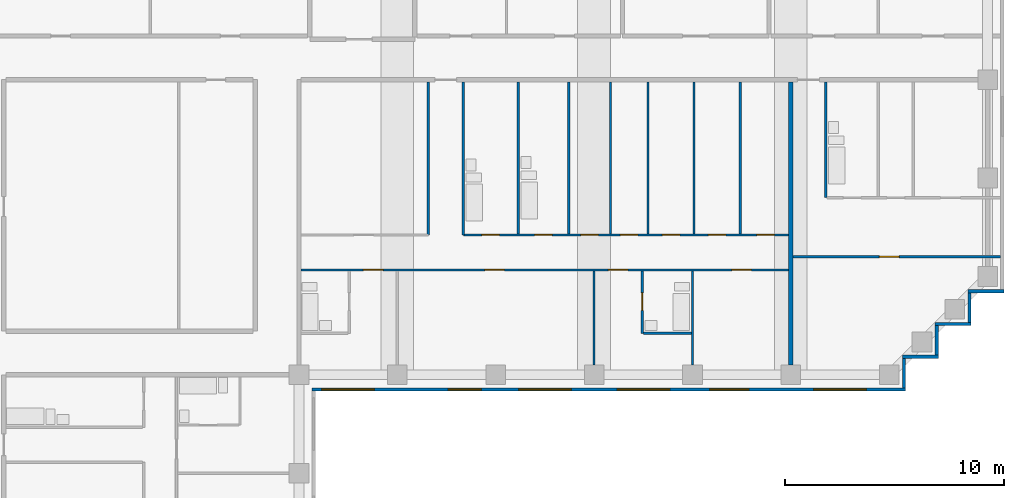
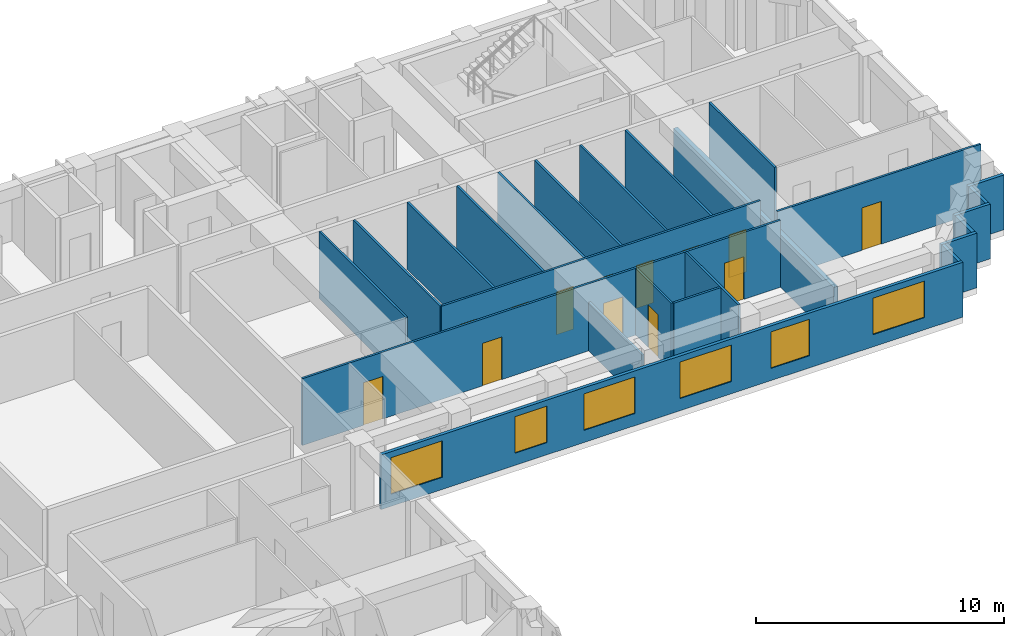
# One storey, part 4 of 9: 24 walls, 13 doors, 6 windows, 19 openings.
"""IFC4 building model written with IfcOpenShell, lengths in metres."""

from ifc_helpers import new_model, si_unit, direction, frame, frame_2d, origin, place, context, subcontext, project, spatial, rectangle, extrude, material, layer, layer_set, type_object, element, fill, save


model = new_model("IFC4")

# Units and contexts
model_context = context("Model", 3, precision=1e-05, world=origin(), true_north=direction((0.0, 1.0)))
body_context = subcontext(model_context, "Body", "Model", "MODEL_VIEW")
ifc_project = project(units=[si_unit("LENGTHUNIT", "METRE"), si_unit("AREAUNIT", "SQUARE_METRE"), si_unit("VOLUMEUNIT", "CUBIC_METRE"), si_unit("PLANEANGLEUNIT", "RADIAN"), si_unit("MASSUNIT", "GRAM", prefix="KILO")], contexts=[model_context])

# Site, building, storey
site_placement = place(None, origin())
site = spatial("IfcSite", under=ifc_project, at=site_placement, CompositionType="ELEMENT")
building_placement = place(site_placement, origin())
building = spatial("IfcBuilding", under=site, at=building_placement, Name="Firuza Court", CompositionType="ELEMENT")
storey_placement = place(building_placement, frame((0.0, 0.0, 222.199951171875)))
storey = spatial("IfcBuildingStorey", under=building, at=storey_placement, Name="L57", CompositionType="ELEMENT", Elevation=222.199951171875)

# Wall, opening, door
ifc_material_1 = material(Name="Moisture-resistant gypsum board partition")
ifc_layer_1 = layer(ifc_material_1, 0.10009765625)
ifc_layer_set_1 = layer_set([ifc_layer_1], Name="Moisture-resistant gypsum board partition")
wall_type_1 = type_object("IfcWallType", Name="Bathroom partition 100", PredefinedType="PLUMBINGWALL", material=ifc_layer_set_1)
wall_1_placement = place(storey_placement, frame((38.199951171875, 37.89990234375, 0.0), z_axis=(0.0, 0.0, 1.0), x_axis=(0.0, 1.0, 0.0)))
wall_1 = element("IfcWall", 1, at=wall_1_placement, inside=storey, type_object=wall_type_1, Name="Bathroom partition 100 L57", PredefinedType="PLUMBINGWALL", context=body_context, shape_type="SweptSolid", body=[
    extrude(rectangle(XDim=2.85009765625, YDim=0.10009765625, at=frame_2d((1.425048828125, 0.0))), origin(), (0.0, 0.0, 1.0), 3.300048828125),
])
opening_1_placement = place(wall_1_placement, frame((1.050048828125, 0.0, 0.0)))
opening_1 = element("IfcOpeningElement", 2, at=opening_1_placement, cuts=wall_1, Name="Opening D57027", PredefinedType="OPENING", context=body_context, shape_type="SweptSolid", body=[
    extrude(rectangle(XDim=0.800048828125, YDim=2.10009765625, at=frame_2d((0.39990234375, 1.050048828125))), frame((0.0, 0.06201171875, 0.0), z_axis=(0.0, -1.0, 0.0), x_axis=(1.0, 0.0, 0.0)), (0.0, 0.0, 1.0), 0.1240234375),
])
ifc_material_2 = material(Name="Timber door leaf in hardwood frame", Category="wood")
door_type_1 = type_object("IfcDoorType", Name="Bathroom door 800", OperationType="SINGLE_SWING_LEFT", PredefinedType="DOOR", material=ifc_material_2)
door_1_placement = place(opening_1_placement, frame((0.800048828125, 0.0, 0.0), z_axis=(0.0, 0.0, 1.0), x_axis=(-1.0, 0.0, 0.0)))
door_1 = element("IfcDoor", 3, at=door_1_placement, inside=storey, type_object=door_type_1, Name="En-suite door", OperationType="SINGLE_SWING_RIGHT", OverallHeight=2.10009765625, OverallWidth=0.800048828125, PredefinedType="DOOR", context=body_context, shape_type="SweptSolid", body=[
    extrude(rectangle(XDim=0.800048828125, YDim=2.10009765625, at=frame_2d((0.39990234375, 1.050048828125))), frame((0.0, 0.02490234375, 0.0), z_axis=(0.0, -1.0, 0.0), x_axis=(1.0, 0.0, 0.0)), (0.0, 0.0, 1.0), 0.050048828125),
])
fill(opening_1, door_1)

# Walls
wall_2_placement = place(storey_placement, frame((38.25, 37.89990234375, 0.0), z_axis=(0.0, 0.0, 1.0), x_axis=(1.0, 0.0, 0.0)))
element("IfcWall", 4, at=wall_2_placement, inside=storey, type_object=wall_type_1, Name="Bathroom partition 100 L57", PredefinedType="PLUMBINGWALL", context=body_context, shape_type="SweptSolid", body=[
    extrude(rectangle(XDim=2.199951171875, YDim=0.10009765625, at=frame_2d((1.10009765625, 0.0))), origin(), (0.0, 0.0, 1.0), 3.300048828125),
])
wall_3_placement = place(storey_placement, frame((30.014892578125, 42.39990234375, 0.0), z_axis=(0.0, 0.0, 1.0), x_axis=(0.0, 1.0, 0.0)))
element("IfcWall", 5, at=wall_3_placement, inside=storey, type_object=wall_type_1, Name="Bathroom partition 100 L57", PredefinedType="PLUMBINGWALL", context=body_context, shape_type="SweptSolid", body=[
    extrude(rectangle(XDim=7.0, YDim=0.10009765625, at=frame_2d((3.5, 0.0))), origin(), (0.0, 0.0, 1.0), 3.300048828125),
])
for number, where, z_axis, x_axis, name in (
    (6, (32.528076171875, 42.449951171875, 0.0), (0.0, 0.0, 1.0), (0.0, 1.0, 0.0), "Bathroom partition 100 L57"),
    (7, (34.840087890625, 42.449951171875, 0.0), (0.0, 0.0, 1.0), (0.0, 1.0, 0.0), "Bathroom partition 100 L57"),
):
    element("IfcWall", number, at=place(storey_placement, frame(where, z_axis=z_axis, x_axis=x_axis)), inside=storey, type_object=wall_type_1, Name=name, PredefinedType="PLUMBINGWALL", context=body_context, shape_type="SweptSolid", body=[
        extrude(rectangle(XDim=6.949951171875, YDim=0.10009765625, at=frame_2d((3.47509765625, 0.0))), origin(), (0.0, 0.0, 1.0), 3.300048828125),
    ])
wall_4_placement = place(storey_placement, frame((46.60009765625, 44.10009765625, 0.0), z_axis=(0.0, 0.0, 1.0), x_axis=(0.0, 1.0, 0.0)))
element("IfcWall", 8, at=wall_4_placement, inside=storey, type_object=wall_type_1, Name="Bathroom partition 100 L57", PredefinedType="PLUMBINGWALL", context=body_context, shape_type="SweptSolid", body=[
    extrude(rectangle(XDim=5.2998046875, YDim=0.10009765625, at=frame_2d((2.64990234375, 0.0))), origin(), (0.0, 0.0, 1.0), 3.300048828125),
])
ifc_material_3 = material(Name="Timber stud partition, plasterboard both sides", Category="wood")
ifc_layer_2 = layer(ifc_material_3, 0.10009765625)
ifc_layer_set_2 = layer_set([ifc_layer_2], Name="Timber stud partition, plasterboard both sides")
wall_type_2 = type_object("IfcWallType", Name="Partition wall 100", PredefinedType="PARTITIONING", material=ifc_layer_set_2)
wall_5_placement = place(storey_placement, frame((36.0, 36.449951171875, 0.0), z_axis=(0.0, 0.0, 1.0), x_axis=(0.0, 1.0, 0.0)))
element("IfcWall", 9, at=wall_5_placement, inside=storey, type_object=wall_type_2, Name="Partition wall 100 L57", PredefinedType="PARTITIONING", context=body_context, shape_type="SweptSolid", body=[
    extrude(rectangle(XDim=4.300048828125, YDim=0.10009765625, at=frame_2d((2.14990234375, 0.0))), origin(), (0.0, 0.0, 1.0), 2.400146484375),
])
wall_6_placement = place(storey_placement, frame((40.5, 36.449951171875, 0.0), z_axis=(0.0, 0.0, 1.0), x_axis=(0.0, 1.0, 0.0)))
element("IfcWall", 10, at=wall_6_placement, inside=storey, type_object=wall_type_2, Name="Partition wall 100 L57", PredefinedType="PARTITIONING", context=body_context, shape_type="SweptSolid", body=[
    extrude(rectangle(XDim=4.300048828125, YDim=0.10009765625, at=frame_2d((2.14990234375, 0.0))), origin(), (0.0, 0.0, 1.0), 3.300048828125),
])

# Wall, openings, doors
wall_7_placement = place(storey_placement, frame((22.60009765625, 40.800048828125, 0.0), z_axis=(0.0, 0.0, 1.0), x_axis=(1.0, 0.0, 0.0)))
wall_7 = element("IfcWall", 11, at=wall_7_placement, inside=storey, type_object=wall_type_2, Name="Partition wall 100 L57", PredefinedType="PARTITIONING", context=body_context, shape_type="SweptSolid", body=[
    extrude(rectangle(XDim=22.2998046875, YDim=0.10009765625, at=frame_2d((11.14990234375, 0.0))), origin(), (0.0, 0.0, 1.0), 3.300048828125),
])
opening_2_placement = place(wall_7_placement, frame((2.85009765625, 0.0, 0.0)))
opening_2 = element("IfcOpeningElement", 12, at=opening_2_placement, cuts=wall_7, Name="Opening D57029", PredefinedType="OPENING", context=body_context, shape_type="SweptSolid", body=[
    extrude(rectangle(XDim=0.89990234375, YDim=2.10009765625, at=frame_2d((0.449951171875, 1.050048828125))), frame((0.0, 0.06201171875, 0.0), z_axis=(0.0, -1.0, 0.0), x_axis=(1.0, 0.0, 0.0)), (0.0, 0.0, 1.0), 0.1240234375),
])
opening_3_placement = place(wall_7_placement, frame((8.39990234375, 0.0, 0.0)))
opening_3 = element("IfcOpeningElement", 13, at=opening_3_placement, cuts=wall_7, Name="Opening D57030", PredefinedType="OPENING", context=body_context, shape_type="SweptSolid", body=[
    extrude(rectangle(XDim=0.89990234375, YDim=2.10009765625, at=frame_2d((0.449951171875, 1.050048828125))), frame((0.0, 0.06201171875, 0.0), z_axis=(0.0, -1.0, 0.0), x_axis=(1.0, 0.0, 0.0)), (0.0, 0.0, 1.0), 0.1240234375),
])
opening_4_placement = place(wall_7_placement, frame((14.050048828125, 0.0, 0.0)))
opening_4 = element("IfcOpeningElement", 14, at=opening_4_placement, cuts=wall_7, Name="Opening D57031", PredefinedType="OPENING", context=body_context, shape_type="SweptSolid", body=[
    extrude(rectangle(XDim=0.89990234375, YDim=2.10009765625, at=frame_2d((0.449951171875, 1.050048828125))), frame((0.0, 0.06201171875, 0.0), z_axis=(0.0, -1.0, 0.0), x_axis=(1.0, 0.0, 0.0)), (0.0, 0.0, 1.0), 0.1240234375),
])
opening_5_placement = place(wall_7_placement, frame((19.699951171875, 0.0, 0.0)))
opening_5 = element("IfcOpeningElement", 15, at=opening_5_placement, cuts=wall_7, Name="Opening D57032", PredefinedType="OPENING", context=body_context, shape_type="SweptSolid", body=[
    extrude(rectangle(XDim=0.89990234375, YDim=2.10009765625, at=frame_2d((0.449951171875, 1.050048828125))), frame((0.0, 0.06201171875, 0.0), z_axis=(0.0, -1.0, 0.0), x_axis=(1.0, 0.0, 0.0)), (0.0, 0.0, 1.0), 0.1240234375),
])
ifc_material_4 = material(Name="Timber door leaf in hardwood frame", Category="wood")
door_type_2 = type_object("IfcDoorType", Name="Room door 900", OperationType="SINGLE_SWING_LEFT", PredefinedType="DOOR", material=ifc_material_4)
door_2_placement = place(opening_2_placement, frame((0.89990234375, 0.0, 0.0), z_axis=(0.0, 0.0, 1.0), x_axis=(-1.0, 0.0, 0.0)))
door_2 = element("IfcDoor", 16, at=door_2_placement, inside=storey, type_object=door_type_2, Name="Bedroom door", OperationType="SINGLE_SWING_RIGHT", OverallHeight=2.10009765625, OverallWidth=0.89990234375, PredefinedType="DOOR", context=body_context, shape_type="SweptSolid", body=[
    extrude(rectangle(XDim=0.89990234375, YDim=2.10009765625, at=frame_2d((0.449951171875, 1.050048828125))), frame((0.0, 0.02490234375, 0.0), z_axis=(0.0, -1.0, 0.0), x_axis=(1.0, 0.0, 0.0)), (0.0, 0.0, 1.0), 0.050048828125),
])
fill(opening_2, door_2)
door_3_placement = place(opening_3_placement, frame((0.89990234375, 0.0, 0.0), z_axis=(0.0, 0.0, 1.0), x_axis=(-1.0, 0.0, 0.0)))
door_3 = element("IfcDoor", 17, at=door_3_placement, inside=storey, type_object=door_type_2, Name="Living room door", OperationType="SINGLE_SWING_RIGHT", OverallHeight=2.10009765625, OverallWidth=0.89990234375, PredefinedType="DOOR", context=body_context, shape_type="SweptSolid", body=[
    extrude(rectangle(XDim=0.89990234375, YDim=2.10009765625, at=frame_2d((0.449951171875, 1.050048828125))), frame((0.0, 0.02490234375, 0.0), z_axis=(0.0, -1.0, 0.0), x_axis=(1.0, 0.0, 0.0)), (0.0, 0.0, 1.0), 0.050048828125),
])
fill(opening_3, door_3)
door_4_placement = place(opening_4_placement, frame((0.89990234375, 0.0, 0.0), z_axis=(0.0, 0.0, 1.0), x_axis=(-1.0, 0.0, 0.0)))
door_4 = element("IfcDoor", 18, at=door_4_placement, inside=storey, type_object=door_type_2, Name="Bedroom door", OperationType="SINGLE_SWING_RIGHT", OverallHeight=2.10009765625, OverallWidth=0.89990234375, PredefinedType="DOOR", context=body_context, shape_type="SweptSolid", body=[
    extrude(rectangle(XDim=0.89990234375, YDim=2.10009765625, at=frame_2d((0.449951171875, 1.050048828125))), frame((0.0, 0.02490234375, 0.0), z_axis=(0.0, -1.0, 0.0), x_axis=(1.0, 0.0, 0.0)), (0.0, 0.0, 1.0), 0.050048828125),
])
fill(opening_4, door_4)
door_5_placement = place(opening_5_placement, frame((0.89990234375, 0.0, 0.0), z_axis=(0.0, 0.0, 1.0), x_axis=(-1.0, 0.0, 0.0)))
door_5 = element("IfcDoor", 19, at=door_5_placement, inside=storey, type_object=door_type_2, Name="Study door", OperationType="SINGLE_SWING_RIGHT", OverallHeight=2.10009765625, OverallWidth=0.89990234375, PredefinedType="DOOR", context=body_context, shape_type="SweptSolid", body=[
    extrude(rectangle(XDim=0.89990234375, YDim=2.10009765625, at=frame_2d((0.449951171875, 1.050048828125))), frame((0.0, 0.02490234375, 0.0), z_axis=(0.0, -1.0, 0.0), x_axis=(1.0, 0.0, 0.0)), (0.0, 0.0, 1.0), 0.050048828125),
])
fill(opening_5, door_5)

# Wall, opening, door
wall_8_placement = place(storey_placement, frame((45.10009765625, 41.39990234375, 0.0), z_axis=(0.0, 0.0, 1.0), x_axis=(1.0, 0.0, 0.0)))
wall_8 = element("IfcWall", 20, at=wall_8_placement, inside=storey, type_object=wall_type_2, Name="Partition wall 100 L57", PredefinedType="PARTITIONING", context=body_context, shape_type="SweptSolid", body=[
    extrude(rectangle(XDim=9.5, YDim=0.10009765625, at=frame_2d((4.75, 0.0))), origin(), (0.0, 0.0, 1.0), 3.300048828125),
])
opening_6_placement = place(wall_8_placement, frame((3.949951171875, 0.0, 0.0)))
opening_6 = element("IfcOpeningElement", 21, at=opening_6_placement, cuts=wall_8, Name="Opening D57033", PredefinedType="OPENING", context=body_context, shape_type="SweptSolid", body=[
    extrude(rectangle(XDim=0.89990234375, YDim=2.10009765625, at=frame_2d((0.449951171875, 1.050048828125))), frame((0.0, 0.06201171875, 0.0), z_axis=(0.0, -1.0, 0.0), x_axis=(1.0, 0.0, 0.0)), (0.0, 0.0, 1.0), 0.1240234375),
])
door_6_placement = place(opening_6_placement, frame((0.89990234375, 0.0, 0.0), z_axis=(0.0, 0.0, 1.0), x_axis=(-1.0, 0.0, 0.0)))
door_6 = element("IfcDoor", 22, at=door_6_placement, inside=storey, type_object=door_type_2, Name="Studio room door", OperationType="SINGLE_SWING_RIGHT", OverallHeight=2.10009765625, OverallWidth=0.89990234375, PredefinedType="DOOR", context=body_context, shape_type="SweptSolid", body=[
    extrude(rectangle(XDim=0.89990234375, YDim=2.10009765625, at=frame_2d((0.449951171875, 1.050048828125))), frame((0.0, 0.02490234375, 0.0), z_axis=(0.0, -1.0, 0.0), x_axis=(1.0, 0.0, 0.0)), (0.0, 0.0, 1.0), 0.050048828125),
])
fill(opening_6, door_6)

# Wall
wall_9_placement = place(storey_placement, frame((28.416015625, 42.39990234375, 0.0), z_axis=(0.0, 0.0, 1.0), x_axis=(0.0, 1.0, 0.0)))
element("IfcWall", 23, at=wall_9_placement, inside=storey, type_object=wall_type_2, Name="Partition wall 100 L57", PredefinedType="PARTITIONING", context=body_context, shape_type="SweptSolid", body=[
    extrude(rectangle(XDim=7.0, YDim=0.10009765625, at=frame_2d((3.5, 0.0))), origin(), (0.0, 0.0, 1.0), 3.300048828125),
])

# Wall, openings, doors
wall_10_placement = place(storey_placement, frame((30.015380859375, 42.39990234375, 0.0), z_axis=(0.0, 0.0, 1.0), x_axis=(1.0, 0.0, 0.0)))
wall_10 = element("IfcWall", 24, at=wall_10_placement, inside=storey, type_object=wall_type_2, Name="Partition wall 100 L57", PredefinedType="PARTITIONING", context=body_context, shape_type="SweptSolid", body=[
    extrude(rectangle(XDim=14.884521484375, YDim=0.10009765625, at=frame_2d((7.4423828125, 0.0))), origin(), (0.0, 0.0, 1.0), 3.300048828125),
])
opening_7_placement = place(wall_10_placement, frame((0.85595703125, 0.0, 0.0)))
opening_7 = element("IfcOpeningElement", 25, at=opening_7_placement, cuts=wall_10, Name="Opening D57035", PredefinedType="OPENING", context=body_context, shape_type="SweptSolid", body=[
    extrude(rectangle(XDim=0.800048828125, YDim=2.10009765625, at=frame_2d((0.39990234375, 1.050048828125))), frame((0.0, 0.06201171875, 0.0), z_axis=(0.0, -1.0, 0.0), x_axis=(1.0, 0.0, 0.0)), (0.0, 0.0, 1.0), 0.1240234375),
])
opening_8_placement = place(wall_10_placement, frame((3.26806640625, 0.0, 0.0)))
opening_8 = element("IfcOpeningElement", 26, at=opening_8_placement, cuts=wall_10, Name="Opening D57036", PredefinedType="OPENING", context=body_context, shape_type="SweptSolid", body=[
    extrude(rectangle(XDim=0.800048828125, YDim=2.10009765625, at=frame_2d((0.39990234375, 1.050048828125))), frame((0.0, 0.06201171875, 0.0), z_axis=(0.0, -1.0, 0.0), x_axis=(1.0, 0.0, 0.0)), (0.0, 0.0, 1.0), 0.1240234375),
])
opening_9_placement = place(wall_10_placement, frame((13.428466796875, 0.0, 0.0)))
opening_9 = element("IfcOpeningElement", 27, at=opening_9_placement, cuts=wall_10, Name="Opening D57037", PredefinedType="OPENING", context=body_context, shape_type="SweptSolid", body=[
    extrude(rectangle(XDim=0.800048828125, YDim=2.10009765625, at=frame_2d((0.39990234375, 1.050048828125))), frame((0.0, 0.06201171875, 0.0), z_axis=(0.0, -1.0, 0.0), x_axis=(1.0, 0.0, 0.0)), (0.0, 0.0, 1.0), 0.1240234375),
])
opening_10_placement = place(wall_10_placement, frame((11.21630859375, 0.0, 0.0)))
opening_10 = element("IfcOpeningElement", 28, at=opening_10_placement, cuts=wall_10, Name="Opening D57038", PredefinedType="OPENING", context=body_context, shape_type="SweptSolid", body=[
    extrude(rectangle(XDim=0.800048828125, YDim=2.10009765625, at=frame_2d((0.39990234375, 1.050048828125))), frame((0.0, 0.06201171875, 0.0), z_axis=(0.0, -1.0, 0.0), x_axis=(1.0, 0.0, 0.0)), (0.0, 0.0, 1.0), 0.1240234375),
])
opening_11_placement = place(wall_10_placement, frame((7.192138671875, 0.0, 0.0)))
opening_11 = element("IfcOpeningElement", 29, at=opening_11_placement, cuts=wall_10, Name="Opening D57039", PredefinedType="OPENING", context=body_context, shape_type="SweptSolid", body=[
    extrude(rectangle(XDim=0.800048828125, YDim=2.10009765625, at=frame_2d((0.39990234375, 1.050048828125))), frame((0.0, 0.06201171875, 0.0), z_axis=(0.0, -1.0, 0.0), x_axis=(1.0, 0.0, 0.0)), (0.0, 0.0, 1.0), 0.1240234375),
])
opening_12_placement = place(wall_10_placement, frame((9.104248046875, 0.0, 0.0)))
opening_12 = element("IfcOpeningElement", 30, at=opening_12_placement, cuts=wall_10, Name="Opening D57040", PredefinedType="OPENING", context=body_context, shape_type="SweptSolid", body=[
    extrude(rectangle(XDim=0.800048828125, YDim=2.10009765625, at=frame_2d((0.39990234375, 1.050048828125))), frame((0.0, 0.06201171875, 0.0), z_axis=(0.0, -1.0, 0.0), x_axis=(1.0, 0.0, 0.0)), (0.0, 0.0, 1.0), 0.1240234375),
])
opening_13_placement = place(wall_10_placement, frame((5.380126953125, 0.0, 0.0)))
opening_13 = element("IfcOpeningElement", 31, at=opening_13_placement, cuts=wall_10, Name="Opening D57041", PredefinedType="OPENING", context=body_context, shape_type="SweptSolid", body=[
    extrude(rectangle(XDim=0.800048828125, YDim=2.10009765625, at=frame_2d((0.39990234375, 1.050048828125))), frame((0.0, 0.06201171875, 0.0), z_axis=(0.0, -1.0, 0.0), x_axis=(1.0, 0.0, 0.0)), (0.0, 0.0, 1.0), 0.1240234375),
])
door_7_placement = place(opening_7_placement, origin())
door_7 = element("IfcDoor", 32, at=door_7_placement, inside=storey, type_object=door_type_1, Name="Bathroom door", OperationType="SINGLE_SWING_LEFT", OverallHeight=2.10009765625, OverallWidth=0.800048828125, PredefinedType="DOOR", context=body_context, shape_type="SweptSolid", body=[
    extrude(rectangle(XDim=0.800048828125, YDim=2.10009765625, at=frame_2d((0.39990234375, 1.050048828125))), frame((0.0, 0.02490234375, 0.0), z_axis=(0.0, -1.0, 0.0), x_axis=(1.0, 0.0, 0.0)), (0.0, 0.0, 1.0), 0.050048828125),
])
fill(opening_7, door_7)
door_8_placement = place(opening_8_placement, origin())
door_8 = element("IfcDoor", 33, at=door_8_placement, inside=storey, type_object=door_type_1, Name="Bathroom 2 door", OperationType="SINGLE_SWING_LEFT", OverallHeight=2.10009765625, OverallWidth=0.800048828125, PredefinedType="DOOR", context=body_context, shape_type="SweptSolid", body=[
    extrude(rectangle(XDim=0.800048828125, YDim=2.10009765625, at=frame_2d((0.39990234375, 1.050048828125))), frame((0.0, 0.02490234375, 0.0), z_axis=(0.0, -1.0, 0.0), x_axis=(1.0, 0.0, 0.0)), (0.0, 0.0, 1.0), 0.050048828125),
])
fill(opening_8, door_8)
ifc_material_5 = material(Name="Timber door leaf in hardwood frame", Category="wood")
door_type_3 = type_object("IfcDoorType", Name="Room door 800", OperationType="SINGLE_SWING_LEFT", PredefinedType="DOOR", material=ifc_material_5)
door_9_placement = place(opening_9_placement, origin())
door_9 = element("IfcDoor", 34, at=door_9_placement, inside=storey, type_object=door_type_3, Name="Laundry door", OperationType="SINGLE_SWING_LEFT", OverallHeight=2.10009765625, OverallWidth=0.800048828125, PredefinedType="DOOR", context=body_context, shape_type="SweptSolid", body=[
    extrude(rectangle(XDim=0.800048828125, YDim=2.10009765625, at=frame_2d((0.39990234375, 1.050048828125))), frame((0.0, 0.02490234375, 0.0), z_axis=(0.0, -1.0, 0.0), x_axis=(1.0, 0.0, 0.0)), (0.0, 0.0, 1.0), 0.050048828125),
])
fill(opening_9, door_9)
door_10_placement = place(opening_10_placement, origin())
door_10 = element("IfcDoor", 35, at=door_10_placement, inside=storey, type_object=door_type_3, Name="Pantry door", OperationType="SINGLE_SWING_LEFT", OverallHeight=2.10009765625, OverallWidth=0.800048828125, PredefinedType="DOOR", context=body_context, shape_type="SweptSolid", body=[
    extrude(rectangle(XDim=0.800048828125, YDim=2.10009765625, at=frame_2d((0.39990234375, 1.050048828125))), frame((0.0, 0.02490234375, 0.0), z_axis=(0.0, -1.0, 0.0), x_axis=(1.0, 0.0, 0.0)), (0.0, 0.0, 1.0), 0.050048828125),
])
fill(opening_10, door_10)
door_11_placement = place(opening_11_placement, origin())
door_11 = element("IfcDoor", 36, at=door_11_placement, inside=storey, type_object=door_type_3, Name="Store door", OperationType="SINGLE_SWING_LEFT", OverallHeight=2.10009765625, OverallWidth=0.800048828125, PredefinedType="DOOR", context=body_context, shape_type="SweptSolid", body=[
    extrude(rectangle(XDim=0.800048828125, YDim=2.10009765625, at=frame_2d((0.39990234375, 1.050048828125))), frame((0.0, 0.02490234375, 0.0), z_axis=(0.0, -1.0, 0.0), x_axis=(1.0, 0.0, 0.0)), (0.0, 0.0, 1.0), 0.050048828125),
])
fill(opening_11, door_11)
door_12_placement = place(opening_12_placement, origin())
door_12 = element("IfcDoor", 37, at=door_12_placement, inside=storey, type_object=door_type_3, Name="Utility room door", OperationType="SINGLE_SWING_LEFT", OverallHeight=2.10009765625, OverallWidth=0.800048828125, PredefinedType="DOOR", context=body_context, shape_type="SweptSolid", body=[
    extrude(rectangle(XDim=0.800048828125, YDim=2.10009765625, at=frame_2d((0.39990234375, 1.050048828125))), frame((0.0, 0.02490234375, 0.0), z_axis=(0.0, -1.0, 0.0), x_axis=(1.0, 0.0, 0.0)), (0.0, 0.0, 1.0), 0.050048828125),
])
fill(opening_12, door_12)
door_13_placement = place(opening_13_placement, origin())
door_13 = element("IfcDoor", 38, at=door_13_placement, inside=storey, type_object=door_type_3, Name="Walk-in wardrobe door", OperationType="SINGLE_SWING_LEFT", OverallHeight=2.10009765625, OverallWidth=0.800048828125, PredefinedType="DOOR", context=body_context, shape_type="SweptSolid", body=[
    extrude(rectangle(XDim=0.800048828125, YDim=2.10009765625, at=frame_2d((0.39990234375, 1.050048828125))), frame((0.0, 0.02490234375, 0.0), z_axis=(0.0, -1.0, 0.0), x_axis=(1.0, 0.0, 0.0)), (0.0, 0.0, 1.0), 0.050048828125),
])
fill(opening_13, door_13)

# Walls
for number, where, z_axis, x_axis, name in (
    (39, (36.751953125, 42.449951171875, 0.0), (0.0, 0.0, 1.0), (0.0, 1.0, 0.0), "Partition wall 100 L57"),
    (40, (38.464111328125, 42.449951171875, 0.0), (0.0, 0.0, 1.0), (0.0, 1.0, 0.0), "Partition wall 100 L57"),
    (41, (40.575927734375, 42.449951171875, 0.0), (0.0, 0.0, 1.0), (0.0, 1.0, 0.0), "Partition wall 100 L57"),
    (42, (42.68798828125, 42.449951171875, 0.0), (0.0, 0.0, 1.0), (0.0, 1.0, 0.0), "Partition wall 100 L57"),
):
    element("IfcWall", number, at=place(storey_placement, frame(where, z_axis=z_axis, x_axis=x_axis)), inside=storey, type_object=wall_type_2, Name=name, PredefinedType="PARTITIONING", context=body_context, shape_type="SweptSolid", body=[
        extrude(rectangle(XDim=6.949951171875, YDim=0.10009765625, at=frame_2d((3.47509765625, 0.0))), origin(), (0.0, 0.0, 1.0), 3.300048828125),
    ])
ifc_material_6 = material(Name="Blockwork, plastered both sides", Category="masonry")
ifc_layer_3 = layer(ifc_material_6, 0.199951171875)
ifc_layer_set_3 = layer_set([ifc_layer_3], Name="Blockwork, plastered both sides")
wall_type_3 = type_object("IfcWallType", Name="Party wall 200", PredefinedType="PARTITIONING", material=ifc_layer_set_3)
wall_11_placement = place(storey_placement, frame((45.0, 36.449951171875, 0.0), z_axis=(0.0, 0.0, 1.0), x_axis=(0.0, 1.0, 0.0)))
element("IfcWall", 43, at=wall_11_placement, inside=storey, type_object=wall_type_3, Name="Party wall 200 L57", PredefinedType="PARTITIONING", context=body_context, shape_type="SweptSolid", body=[
    extrude(rectangle(XDim=12.949951171875, YDim=0.199951171875, at=frame_2d((6.47509765625, 0.0))), origin(), (0.0, 0.0, 1.0), 2.60009765625),
])

# Wall, openings, windows
ifc_material_7 = material(Name="Ceramic tile", Category="ceramic")
ifc_layer_4 = layer(ifc_material_7, 0.02001953125)
ifc_material_8 = material(Name="Mineral wool insulation", Category="insulation")
ifc_layer_5 = layer(ifc_material_8, 0.050048828125)
ifc_material_9 = material(Name="Concrete C40/50 precast", Category="concrete")
ifc_layer_6 = layer(ifc_material_9, 0.080078125)
ifc_layer_set_4 = layer_set([ifc_layer_4, ifc_layer_5, ifc_layer_6], Name="Concrete C40/50 precast")
wall_type_4 = type_object("IfcWallType", Name="Precast cladding wall with turquoise TILE PANEL face 150", PredefinedType="STANDARD", material=ifc_layer_set_4)
wall_12_placement = place(storey_placement, frame((23.10009765625, 35.324951171875, 0.0), z_axis=(0.0, 0.0, 1.0), x_axis=(1.0, 0.0, 0.0)))
wall_12 = element("IfcWall", 44, at=wall_12_placement, inside=storey, type_object=wall_type_4, Name="Facade wall L57 S", PredefinedType="STANDARD", context=body_context, shape_type="SweptSolid", body=[
    extrude(rectangle(XDim=27.14990234375, YDim=0.14990234375, at=frame_2d((13.574951171875, 0.0))), origin(), (0.0, 0.0, 1.0), 2.699951171875),
])
opening_14_placement = place(wall_12_placement, frame((0.449951171875, 0.0, 0.60009765625)))
opening_14 = element("IfcOpeningElement", 45, at=opening_14_placement, cuts=wall_12, Name="Opening W1", PredefinedType="OPENING", context=body_context, shape_type="SweptSolid", body=[
    extrude(rectangle(XDim=2.39990234375, YDim=1.800048828125, at=frame_2d((1.199951171875, 0.89990234375))), frame((0.0, 0.0869140625, 0.0), z_axis=(0.0, -1.0, 0.0), x_axis=(1.0, 0.0, 0.0)), (0.0, 0.0, 1.0), 0.173828125),
])
opening_15_placement = place(wall_12_placement, frame((6.233642578125, 0.0, 0.60009765625)))
opening_15 = element("IfcOpeningElement", 46, at=opening_15_placement, cuts=wall_12, Name="Opening W2", PredefinedType="OPENING", context=body_context, shape_type="SweptSolid", body=[
    extrude(rectangle(XDim=1.5, YDim=1.800048828125, at=frame_2d((0.75, 0.89990234375))), frame((0.0, 0.0869140625, 0.0), z_axis=(0.0, -1.0, 0.0), x_axis=(1.0, 0.0, 0.0)), (0.0, 0.0, 1.0), 0.173828125),
])
opening_16_placement = place(wall_12_placement, frame((9.449951171875, 0.0, 0.60009765625)))
opening_16 = element("IfcOpeningElement", 47, at=opening_16_placement, cuts=wall_12, Name="Opening W1", PredefinedType="OPENING", context=body_context, shape_type="SweptSolid", body=[
    extrude(rectangle(XDim=2.39990234375, YDim=1.800048828125, at=frame_2d((1.199951171875, 0.89990234375))), frame((0.0, 0.0869140625, 0.0), z_axis=(0.0, -1.0, 0.0), x_axis=(1.0, 0.0, 0.0)), (0.0, 0.0, 1.0), 0.173828125),
])
opening_17_placement = place(wall_12_placement, frame((13.949951171875, 0.0, 0.60009765625)))
opening_17 = element("IfcOpeningElement", 48, at=opening_17_placement, cuts=wall_12, Name="Opening W1", PredefinedType="OPENING", context=body_context, shape_type="SweptSolid", body=[
    extrude(rectangle(XDim=2.39990234375, YDim=1.800048828125, at=frame_2d((1.199951171875, 0.89990234375))), frame((0.0, 0.0869140625, 0.0), z_axis=(0.0, -1.0, 0.0), x_axis=(1.0, 0.0, 0.0)), (0.0, 0.0, 1.0), 0.173828125),
])
opening_18_placement = place(wall_12_placement, frame((18.18017578125, 0.0, 0.60009765625)))
opening_18 = element("IfcOpeningElement", 49, at=opening_18_placement, cuts=wall_12, Name="Opening W7", PredefinedType="OPENING", context=body_context, shape_type="SweptSolid", body=[
    extrude(rectangle(XDim=1.800048828125, YDim=1.800048828125, at=frame_2d((0.89990234375, 0.89990234375))), frame((0.0, 0.0869140625, 0.0), z_axis=(0.0, -1.0, 0.0), x_axis=(1.0, 0.0, 0.0)), (0.0, 0.0, 1.0), 0.173828125),
])
opening_19_placement = place(wall_12_placement, frame((22.949951171875, 0.0, 0.60009765625)))
opening_19 = element("IfcOpeningElement", 50, at=opening_19_placement, cuts=wall_12, Name="Opening W1", PredefinedType="OPENING", context=body_context, shape_type="SweptSolid", body=[
    extrude(rectangle(XDim=2.39990234375, YDim=1.800048828125, at=frame_2d((1.199951171875, 0.89990234375))), frame((0.0, 0.0869140625, 0.0), z_axis=(0.0, -1.0, 0.0), x_axis=(1.0, 0.0, 0.0)), (0.0, 0.0, 1.0), 0.173828125),
])
ifc_material_10 = material(Name="Aluminium frame, triple clear glazing", Category="aluminium")
window_type_1 = type_object("IfcWindowType", Name="Window W1 2400 x 1800", PartitioningType="SINGLE_PANEL", PredefinedType="WINDOW", material=ifc_material_10)
window_1_placement = place(opening_14_placement, origin())
window_1 = element("IfcWindow", 51, at=window_1_placement, inside=storey, type_object=window_type_1, Name="Window L57", OverallHeight=1.800048828125, OverallWidth=2.39990234375, PartitioningType="SINGLE_PANEL", PredefinedType="WINDOW", context=body_context, shape_type="SweptSolid", body=[
    extrude(rectangle(XDim=2.39990234375, YDim=1.800048828125, at=frame_2d((1.199951171875, 0.89990234375))), frame((0.0, 0.030029296875, 0.0), z_axis=(0.0, -1.0, 0.0), x_axis=(1.0, 0.0, 0.0)), (0.0, 0.0, 1.0), 0.06005859375),
])
fill(opening_14, window_1)
window_2_placement = place(opening_16_placement, origin())
window_2 = element("IfcWindow", 52, at=window_2_placement, inside=storey, type_object=window_type_1, Name="Window L57", OverallHeight=1.800048828125, OverallWidth=2.39990234375, PartitioningType="SINGLE_PANEL", PredefinedType="WINDOW", context=body_context, shape_type="SweptSolid", body=[
    extrude(rectangle(XDim=2.39990234375, YDim=1.800048828125, at=frame_2d((1.199951171875, 0.89990234375))), frame((0.0, 0.030029296875, 0.0), z_axis=(0.0, -1.0, 0.0), x_axis=(1.0, 0.0, 0.0)), (0.0, 0.0, 1.0), 0.06005859375),
])
fill(opening_16, window_2)
window_3_placement = place(opening_17_placement, origin())
window_3 = element("IfcWindow", 53, at=window_3_placement, inside=storey, type_object=window_type_1, Name="Window L57", OverallHeight=1.800048828125, OverallWidth=2.39990234375, PartitioningType="SINGLE_PANEL", PredefinedType="WINDOW", context=body_context, shape_type="SweptSolid", body=[
    extrude(rectangle(XDim=2.39990234375, YDim=1.800048828125, at=frame_2d((1.199951171875, 0.89990234375))), frame((0.0, 0.030029296875, 0.0), z_axis=(0.0, -1.0, 0.0), x_axis=(1.0, 0.0, 0.0)), (0.0, 0.0, 1.0), 0.06005859375),
])
fill(opening_17, window_3)
window_4_placement = place(opening_19_placement, origin())
window_4 = element("IfcWindow", 54, at=window_4_placement, inside=storey, type_object=window_type_1, Name="Window L57", OverallHeight=1.800048828125, OverallWidth=2.39990234375, PartitioningType="SINGLE_PANEL", PredefinedType="WINDOW", context=body_context, shape_type="SweptSolid", body=[
    extrude(rectangle(XDim=2.39990234375, YDim=1.800048828125, at=frame_2d((1.199951171875, 0.89990234375))), frame((0.0, 0.030029296875, 0.0), z_axis=(0.0, -1.0, 0.0), x_axis=(1.0, 0.0, 0.0)), (0.0, 0.0, 1.0), 0.06005859375),
])
fill(opening_19, window_4)
ifc_material_11 = material(Name="Aluminium frame, triple clear glazing", Category="aluminium")
window_type_2 = type_object("IfcWindowType", Name="Window W2 1500 x 1800", PartitioningType="SINGLE_PANEL", PredefinedType="WINDOW", material=ifc_material_11)
window_5_placement = place(opening_15_placement, origin())
window_5 = element("IfcWindow", 55, at=window_5_placement, inside=storey, type_object=window_type_2, Name="Window L57", OverallHeight=1.800048828125, OverallWidth=1.5, PartitioningType="SINGLE_PANEL", PredefinedType="WINDOW", context=body_context, shape_type="SweptSolid", body=[
    extrude(rectangle(XDim=1.5, YDim=1.800048828125, at=frame_2d((0.75, 0.89990234375))), frame((0.0, 0.030029296875, 0.0), z_axis=(0.0, -1.0, 0.0), x_axis=(1.0, 0.0, 0.0)), (0.0, 0.0, 1.0), 0.06005859375),
])
fill(opening_15, window_5)
ifc_material_12 = material(Name="Aluminium frame, triple clear glazing", Category="aluminium")
window_type_3 = type_object("IfcWindowType", Name="Window W7 1800 x 1800", PartitioningType="SINGLE_PANEL", PredefinedType="WINDOW", material=ifc_material_12)
window_6_placement = place(opening_18_placement, origin())
window_6 = element("IfcWindow", 56, at=window_6_placement, inside=storey, type_object=window_type_3, Name="Window L57", OverallHeight=1.800048828125, OverallWidth=1.800048828125, PartitioningType="SINGLE_PANEL", PredefinedType="WINDOW", context=body_context, shape_type="SweptSolid", body=[
    extrude(rectangle(XDim=1.800048828125, YDim=1.800048828125, at=frame_2d((0.89990234375, 0.89990234375))), frame((0.0, 0.030029296875, 0.0), z_axis=(0.0, -1.0, 0.0), x_axis=(1.0, 0.0, 0.0)), (0.0, 0.0, 1.0), 0.06005859375),
])
fill(opening_18, window_6)

# Walls
wall_13_placement = place(storey_placement, frame((50.175048828125, 35.39990234375, 0.0), z_axis=(0.0, 0.0, 1.0), x_axis=(0.0, 1.0, 0.0)))
element("IfcWall", 57, at=wall_13_placement, inside=storey, type_object=wall_type_4, Name="Facade wall L57 E", PredefinedType="STANDARD", context=body_context, shape_type="SweptSolid", body=[
    extrude(rectangle(XDim=1.35009765625, YDim=0.14990234375, at=frame_2d((0.675048828125, 0.0))), origin(), (0.0, 0.0, 1.0), 2.699951171875),
])
wall_14_placement = place(storey_placement, frame((50.10009765625, 36.824951171875, 0.0), z_axis=(0.0, 0.0, 1.0), x_axis=(1.0, 0.0, 0.0)))
element("IfcWall", 58, at=wall_14_placement, inside=storey, type_object=wall_type_4, Name="Facade wall L57 S", PredefinedType="STANDARD", context=body_context, shape_type="SweptSolid", body=[
    extrude(rectangle(XDim=1.64990234375, YDim=0.14990234375, at=frame_2d((0.824951171875, 0.0))), origin(), (0.0, 0.0, 1.0), 2.699951171875),
])
wall_15_placement = place(storey_placement, frame((51.675048828125, 36.89990234375, 0.0), z_axis=(0.0, 0.0, 1.0), x_axis=(0.0, 1.0, 0.0)))
element("IfcWall", 59, at=wall_15_placement, inside=storey, type_object=wall_type_4, Name="Facade wall L57 E", PredefinedType="STANDARD", context=body_context, shape_type="SweptSolid", body=[
    extrude(rectangle(XDim=1.35009765625, YDim=0.14990234375, at=frame_2d((0.675048828125, 0.0))), origin(), (0.0, 0.0, 1.0), 2.699951171875),
])
wall_16_placement = place(storey_placement, frame((51.60009765625, 38.324951171875, 0.0), z_axis=(0.0, 0.0, 1.0), x_axis=(1.0, 0.0, 0.0)))
element("IfcWall", 60, at=wall_16_placement, inside=storey, type_object=wall_type_4, Name="Facade wall L57 S", PredefinedType="STANDARD", context=body_context, shape_type="SweptSolid", body=[
    extrude(rectangle(XDim=1.64990234375, YDim=0.14990234375, at=frame_2d((0.824951171875, 0.0))), origin(), (0.0, 0.0, 1.0), 2.699951171875),
])
wall_17_placement = place(storey_placement, frame((53.175048828125, 38.39990234375, 0.0), z_axis=(0.0, 0.0, 1.0), x_axis=(0.0, 1.0, 0.0)))
element("IfcWall", 61, at=wall_17_placement, inside=storey, type_object=wall_type_4, Name="Facade wall L57 E", PredefinedType="STANDARD", context=body_context, shape_type="SweptSolid", body=[
    extrude(rectangle(XDim=1.35009765625, YDim=0.14990234375, at=frame_2d((0.675048828125, 0.0))), origin(), (0.0, 0.0, 1.0), 2.699951171875),
])
wall_18_placement = place(storey_placement, frame((53.10009765625, 39.824951171875, 0.0), z_axis=(0.0, 0.0, 1.0), x_axis=(1.0, 0.0, 0.0)))
element("IfcWall", 62, at=wall_18_placement, inside=storey, type_object=wall_type_4, Name="Facade wall L57 S", PredefinedType="STANDARD", context=body_context, shape_type="SweptSolid", body=[
    extrude(rectangle(XDim=1.64990234375, YDim=0.14990234375, at=frame_2d((0.824951171875, 0.0))), origin(), (0.0, 0.0, 1.0), 2.699951171875),
])

save(model, "model.ifc")
